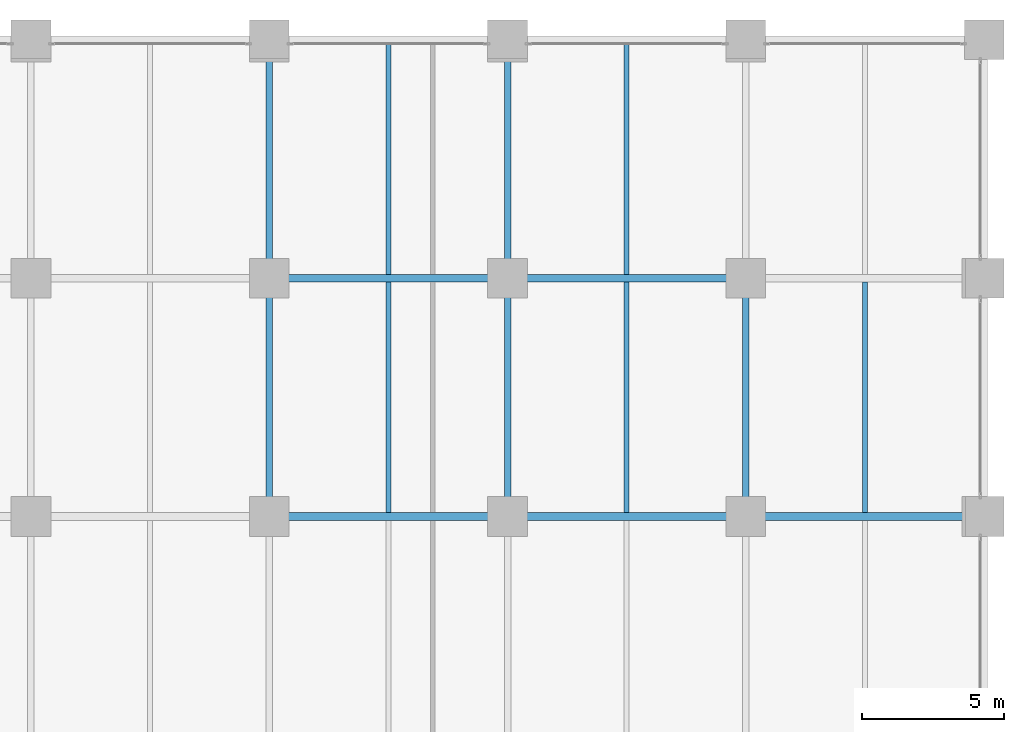
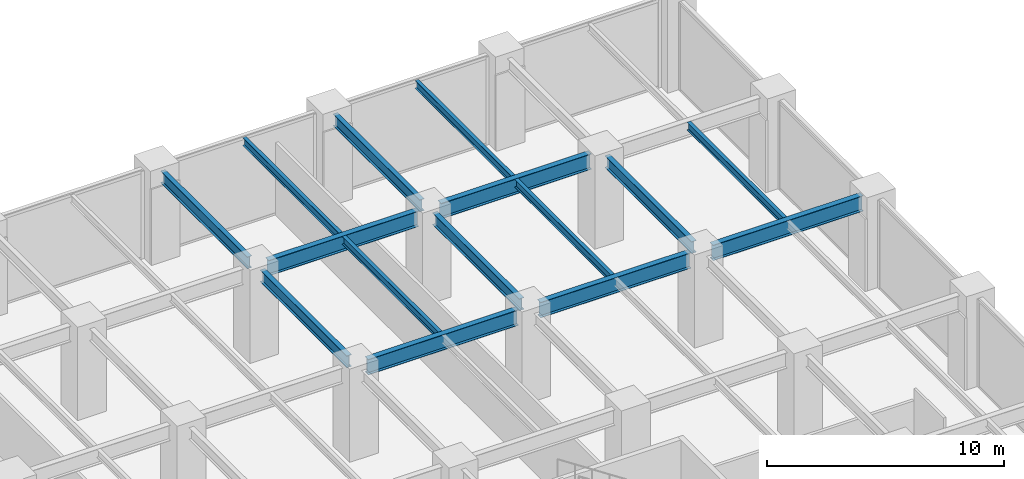
# One storey, part 14 of 23: 15 beams.
"""IFC4 building model written with IfcOpenShell, lengths in metres."""

from ifc_helpers import new_model, si_unit, direction, frame, origin, origin_2d, place, context, subcontext, project, spatial, i_section, extrude, material, material_profile, profile_set, type_object, element, save


model = new_model("IFC4")

# Units and contexts
model_context = context("Model", 3, precision=1e-05, world=origin(), true_north=direction((0.0, 1.0)))
body_context = subcontext(model_context, "Body", "Model", "MODEL_VIEW")
ifc_project = project(units=[si_unit("LENGTHUNIT", "METRE"), si_unit("AREAUNIT", "SQUARE_METRE"), si_unit("VOLUMEUNIT", "CUBIC_METRE"), si_unit("PLANEANGLEUNIT", "RADIAN"), si_unit("MASSUNIT", "GRAM", prefix="KILO")], contexts=[model_context])

# Site, building, storey
site_placement = place(None, origin())
site = spatial("IfcSite", under=ifc_project, at=site_placement, CompositionType="ELEMENT")
building_placement = place(site_placement, origin())
building = spatial("IfcBuilding", under=site, at=building_placement, Name="Nerrivon Quay Data Exchange", CompositionType="ELEMENT")
storey_placement = place(building_placement, frame((0.0, 0.0, 5.39990234375)))
storey = spatial("IfcBuildingStorey", under=building, at=storey_placement, Name="L01", CompositionType="ELEMENT", Elevation=5.39990234375)

# Beams
ifc_material = material(Name="Steel Grade 350", Category="steel")
ifc_material_profile_1 = material_profile(ifc_material, i_section(OverallWidth=0.22900390625, OverallDepth=0.612060546875, WebThickness=0.011962890625, FlangeThickness=0.01953125, FilletRadius=0.013916015625, at=origin_2d()), Name="610UB125")
ifc_profile_set_1 = profile_set([ifc_material_profile_1], Name="Steel Grade 350")
beam_type_1 = type_object("IfcBeamType", Name="BM-G1-610UB125", PredefinedType="BEAM", material=ifc_profile_set_1)
for number, where, z_axis, x_axis, name in (
    (1, (33.60009765625, 34.139892578125, 4.218994140625), (0.0, 1.0, 0.0), (-1.0, 0.0, 0.0), "L01 NS Girder X=33.6 (33.6..42.0)"),
    (2, (33.60009765625, 42.5400390625, 4.218994140625), (0.0, 1.0, 0.0), (-1.0, 0.0, 0.0), "L01 NS Girder X=33.6 (42.0..50.4)"),
    (3, (42.0, 34.139892578125, 4.218994140625), (0.0, 1.0, 0.0), (-1.0, 0.0, 0.0), "L01 NS Girder X=42.0 (33.6..42.0)"),
    (4, (42.0, 42.5400390625, 4.218994140625), (0.0, 1.0, 0.0), (-1.0, 0.0, 0.0), "L01 NS Girder X=42.0 (42.0..50.4)"),
    (5, (50.39990234375, 34.139892578125, 4.218994140625), (0.0, 1.0, 0.0), (-1.0, 0.0, 0.0), "L01 NS Girder X=50.4 (33.6..42.0)"),
):
    element("IfcBeam", number, at=place(storey_placement, frame(where, z_axis=z_axis, x_axis=x_axis)), inside=storey, type_object=beam_type_1, Name=name, PredefinedType="BEAM", context=body_context, shape_type="SweptSolid", body=[
        extrude(i_section(OverallWidth=0.22900390625, OverallDepth=0.612060546875, WebThickness=0.011962890625, FlangeThickness=0.01953125, FilletRadius=0.013916015625, at=origin_2d()), origin(), (0.0, 0.0, 1.0), 7.320068359375),
    ])
ifc_material_profile_2 = material_profile(ifc_material, i_section(OverallWidth=0.27490234375, OverallDepth=0.800048828125, WebThickness=0.010009765625, FlangeThickness=0.02001953125, at=origin_2d()), Name="800WB146")
ifc_profile_set_2 = profile_set([ifc_material_profile_2], Name="Steel Grade 350")
beam_type_2 = type_object("IfcBeamType", Name="BM-G8-800WB146", PredefinedType="BEAM", material=ifc_profile_set_2)
for number, where, z_axis, x_axis, name in (
    (6, (34.139892578125, 33.60009765625, 4.125), (1.0, 0.0, 0.0), (0.0, 1.0, 0.0), "L01 EW Girder Y=33.6 (33.6..42.0)"),
    (7, (42.5400390625, 33.60009765625, 4.125), (1.0, 0.0, 0.0), (0.0, 1.0, 0.0), "L01 EW Girder Y=33.6 (42.0..50.4)"),
    (8, (50.93994140625, 33.60009765625, 4.125), (1.0, 0.0, 0.0), (0.0, 1.0, 0.0), "L01 EW Girder Y=33.6 (50.4..58.8)"),
    (9, (34.139892578125, 42.0, 4.125), (1.0, 0.0, 0.0), (0.0, 1.0, 0.0), "L01 EW Girder Y=42.0 (33.6..42.0)"),
    (10, (42.5400390625, 42.0, 4.125), (1.0, 0.0, 0.0), (0.0, 1.0, 0.0), "L01 EW Girder Y=42.0 (42.0..50.4)"),
):
    element("IfcBeam", number, at=place(storey_placement, frame(where, z_axis=z_axis, x_axis=x_axis)), inside=storey, type_object=beam_type_2, Name=name, PredefinedType="BEAM", context=body_context, shape_type="SweptSolid", body=[
        extrude(i_section(OverallWidth=0.27490234375, OverallDepth=0.800048828125, WebThickness=0.010009765625, FlangeThickness=0.02001953125, at=origin_2d()), origin(), (0.0, 0.0, 1.0), 7.320068359375),
    ])
ifc_material_profile_3 = material_profile(ifc_material, i_section(OverallWidth=0.177978515625, OverallDepth=0.403076171875, WebThickness=0.007568359375, FlangeThickness=0.010986328125, FilletRadius=0.011474609375, at=origin_2d()), Name="410UB53.7")
ifc_profile_set_3 = profile_set([ifc_material_profile_3], Name="Steel Grade 350")
beam_type_3 = type_object("IfcBeamType", Name="BM-J2-410UB54", PredefinedType="JOIST", material=ifc_profile_set_3)
for number, where, z_axis, x_axis, name in (
    (11, (37.800048828125, 33.737548828125, 4.323486328125), (0.0, 1.0, 0.0), (-1.0, 0.0, 0.0), "L01 Secondary Joist X=37.8 (33.6..42.0)"),
    (12, (37.800048828125, 42.137451171875, 4.323486328125), (0.0, 1.0, 0.0), (-1.0, 0.0, 0.0), "L01 Secondary Joist X=37.8 (42.0..50.4)"),
    (13, (46.199951171875, 33.737548828125, 4.323486328125), (0.0, 1.0, 0.0), (-1.0, 0.0, 0.0), "L01 Secondary Joist X=46.2 (33.6..42.0)"),
    (14, (46.199951171875, 42.137451171875, 4.323486328125), (0.0, 1.0, 0.0), (-1.0, 0.0, 0.0), "L01 Secondary Joist X=46.2 (42.0..50.4)"),
    (15, (54.60009765625, 33.737548828125, 4.323486328125), (0.0, 1.0, 0.0), (-1.0, 0.0, 0.0), "L01 Secondary Joist X=54.6 (33.6..42.0)"),
):
    element("IfcBeam", number, at=place(storey_placement, frame(where, z_axis=z_axis, x_axis=x_axis)), inside=storey, type_object=beam_type_3, Name=name, PredefinedType="JOIST", context=body_context, shape_type="SweptSolid", body=[
        extrude(i_section(OverallWidth=0.177978515625, OverallDepth=0.403076171875, WebThickness=0.007568359375, FlangeThickness=0.010986328125, FilletRadius=0.011474609375, at=origin_2d()), origin(), (0.0, 0.0, 1.0), 8.125),
    ])

save(model, "model.ifc")
